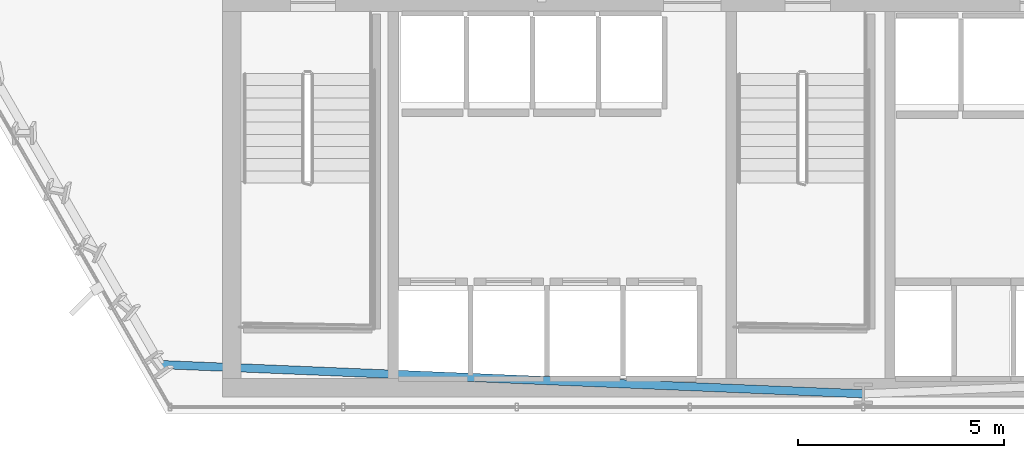
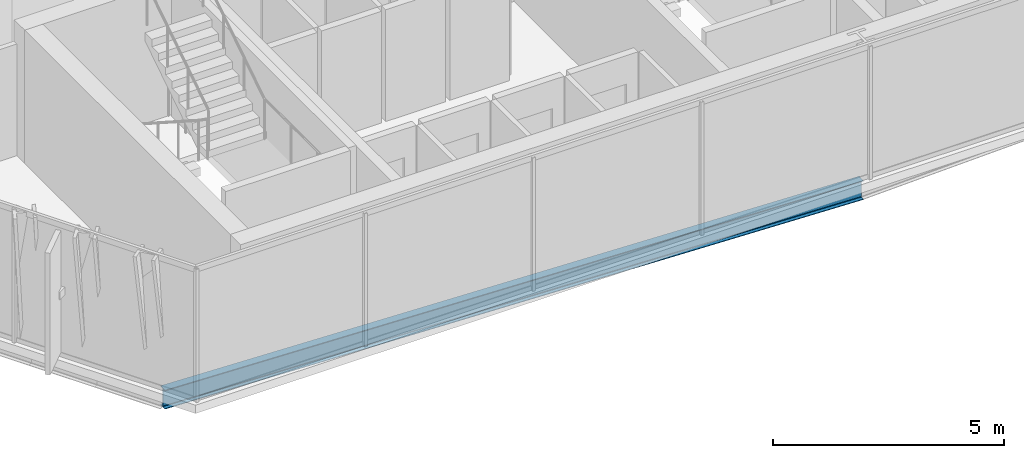
# One storey, part 3 of 31: 1 beam.
"""IFC4 building model written with IfcOpenShell, lengths in metres."""

from ifc_helpers import new_model, si_unit, direction, frame, origin, origin_2d, place, context, subcontext, project, spatial, i_section, extrude, material, material_profile, profile_set, type_object, element, save


model = new_model("IFC4")

# Units and contexts
model_context = context("Model", 3, precision=1e-05, world=origin(), true_north=direction((0.0, 1.0)))
body_context = subcontext(model_context, "Body", "Model", "MODEL_VIEW")
ifc_project = project(units=[si_unit("LENGTHUNIT", "METRE"), si_unit("AREAUNIT", "SQUARE_METRE"), si_unit("VOLUMEUNIT", "CUBIC_METRE"), si_unit("PLANEANGLEUNIT", "RADIAN"), si_unit("MASSUNIT", "GRAM", prefix="KILO")], contexts=[model_context])

# Site, building, storey
site_placement = place(None, origin())
site = spatial("IfcSite", under=ifc_project, at=site_placement, CompositionType="ELEMENT")
building_placement = place(site_placement, origin())
building = spatial("IfcBuilding", under=site, at=building_placement, Name="Ndaravel Arena Tower", CompositionType="ELEMENT")
storey_placement = place(building_placement, frame((0.0, 0.0, 108.199951171875)))
storey = spatial("IfcBuildingStorey", under=building, at=storey_placement, Name="L25", CompositionType="ELEMENT", Elevation=108.199951171875)

# Beam
ifc_material = material(Name="Steel S355", Category="steel")
ifc_material_profile = material_profile(ifc_material, i_section(OverallWidth=0.199951171875, OverallDepth=0.5, WebThickness=0.01025390625, FlangeThickness=0.01611328125, FilletRadius=0.02099609375, at=origin_2d()), Name="IPE 500")
ifc_profile_set = profile_set([ifc_material_profile], Name="Steel S355")
beam_type = type_object("IfcBeamType", Name="BM-SPAN-IPE500", PredefinedType="SPANDREL", material=ifc_profile_set)
beam_placement = place(storey_placement, frame((24.95703125, 6.189697265625, -0.469970703125), z_axis=(0.999134065017, -0.041606731707, 0.0), x_axis=(0.041606731707, 0.999134065017, 0.0)))
element("IfcBeam", 1, at=beam_placement, inside=storey, type_object=beam_type, Name="L25 Perimeter Spandrel Beam SP-27", PredefinedType="SPANDREL", context=body_context, shape_type="SweptSolid", body=[
    extrude(i_section(OverallWidth=0.199951171875, OverallDepth=0.5, WebThickness=0.01025390625, FlangeThickness=0.01611328125, FilletRadius=0.02099609375, at=origin_2d()), origin(), (0.0, 0.0, 1.0), 17.057861328125),
])

save(model, "model.ifc")
